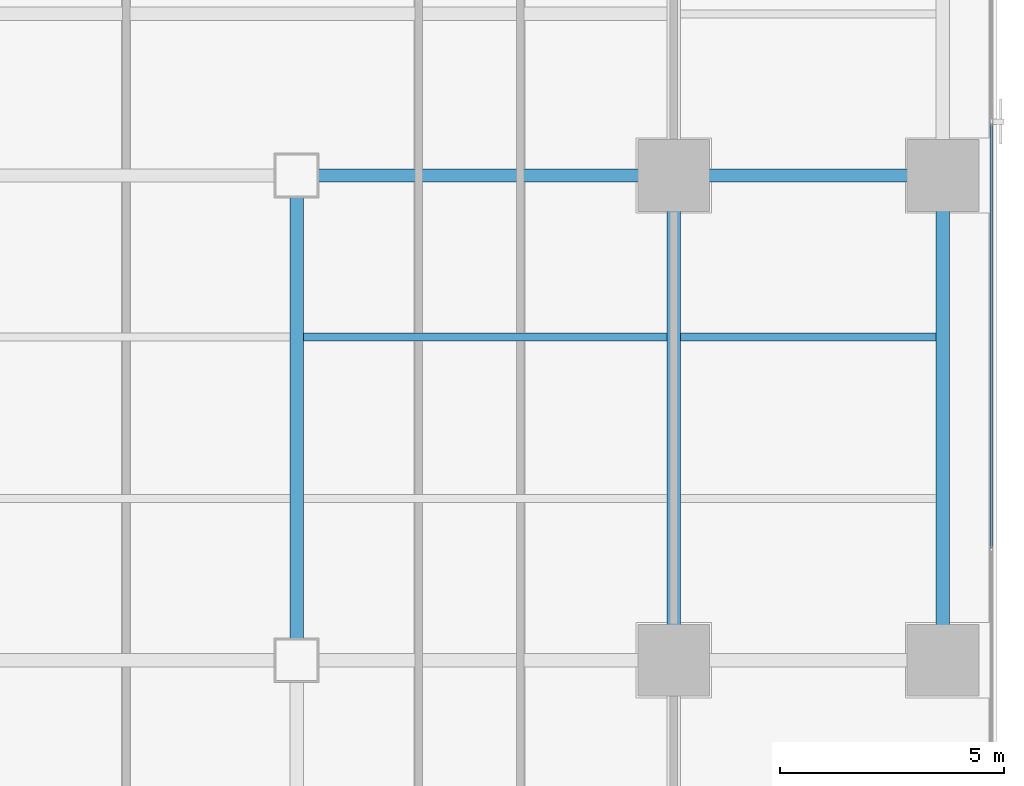
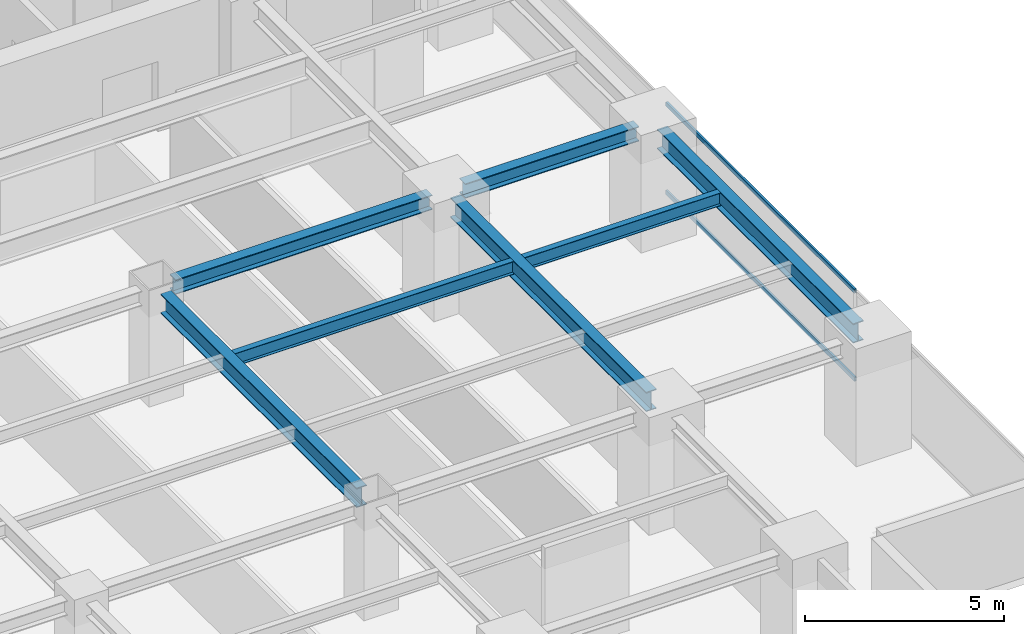
# One storey, part 12 of 27: 7 beams, 2 members, 1 element without a shape of its own.
"""IFC4 building model written with IfcOpenShell, lengths in metres."""

from ifc_helpers import new_model, si_unit, direction, frame, origin, origin_2d, place, context, subcontext, project, spatial, hollow_rectangle, i_section, extrude, source, transform, mapped, material, layer, layer_set, material_profile, profile_set, type_object, element, aggregate, save


model = new_model("IFC4")

# Units and contexts
model_context = context("Model", 3, precision=1e-05, world=origin(), true_north=direction((0.0, 1.0)))
body_context = subcontext(model_context, "Body", "Model", "MODEL_VIEW")
ifc_project = project(units=[si_unit("LENGTHUNIT", "METRE"), si_unit("AREAUNIT", "SQUARE_METRE"), si_unit("VOLUMEUNIT", "CUBIC_METRE"), si_unit("PLANEANGLEUNIT", "RADIAN"), si_unit("MASSUNIT", "GRAM", prefix="KILO")], contexts=[model_context])

# Site, building, storey
site_placement = place(None, origin())
site = spatial("IfcSite", under=ifc_project, at=site_placement, CompositionType="ELEMENT")
building_placement = place(site_placement, origin())
building = spatial("IfcBuilding", under=site, at=building_placement, Name="Sumidabori Civic Tower", CompositionType="ELEMENT")
storey_placement = place(building_placement, frame((0.0, 0.0, 164.0)))
storey = spatial("IfcBuildingStorey", under=building, at=storey_placement, Name="L42", CompositionType="ELEMENT", Elevation=164.0)

# Beams
ifc_material_1 = material(Name="Steel SN490", Category="steel")
ifc_material_profile_1 = material_profile(ifc_material_1, i_section(OverallWidth=0.300048828125, OverallDepth=0.60009765625, WebThickness=0.015380859375, FlangeThickness=0.030029296875, at=origin_2d()), Name="HE 600 B")
ifc_profile_set_1 = profile_set([ifc_material_profile_1], Name="Steel SN490")
beam_type_1 = type_object("IfcBeamType", Name="BM-GIRD-600", PredefinedType="BEAM", material=ifc_profile_set_1)
shared_shape_1 = source(origin(), body_context, "Body", "SweptSolid", [
    extrude(i_section(OverallWidth=0.300048828125, OverallDepth=0.60009765625, WebThickness=0.015380859375, FlangeThickness=0.030029296875, at=origin_2d()), origin(), (0.0, 0.0, 1.0), 9.840087890625),
])
for number, where, z_axis, x_axis, name in (
    (1, (8.39990234375, -10.320068359375, 3.080078125), (0.0, 1.0, 0.0), (-1.0, 0.0, 0.0), "Primary Girder L42 GY-31"),
    (2, (16.800048828125, -10.320068359375, 3.080078125), (0.0, 1.0, 0.0), (-1.0, 0.0, 0.0), "Primary Girder L42 GY-33"),
    (3, (22.800048828125, -10.320068359375, 3.080078125), (0.0, 1.0, 0.0), (-1.0, 0.0, 0.0), "Primary Girder L42 GY-36"),
):
    element("IfcBeam", number, at=place(storey_placement, frame(where, z_axis=z_axis, x_axis=x_axis)), inside=storey, type_object=beam_type_1, Name=name, PredefinedType="BEAM", context=body_context, shape_type="MappedRepresentation", body=[
        mapped(shared_shape_1, transform((0.0, 0.0, 0.0), x_axis=(1.0, 0.0, 0.0), y_axis=(0.0, 1.0, 0.0), z_axis=(0.0, 0.0, 1.0), scale=1.0)),
    ])
ifc_material_profile_2 = material_profile(ifc_material_1, i_section(OverallWidth=0.179931640625, OverallDepth=0.39990234375, WebThickness=0.008544921875, FlangeThickness=0.013427734375, at=origin_2d()), Name="IPE 400")
ifc_profile_set_2 = profile_set([ifc_material_profile_2], Name="Steel SN490")
beam_type_2 = type_object("IfcBeamType", Name="BM-JST-400", PredefinedType="JOIST", material=ifc_profile_set_2)
shared_shape_2 = source(origin(), body_context, "Body", "SweptSolid", [
    extrude(i_section(OverallWidth=0.179931640625, OverallDepth=0.39990234375, WebThickness=0.008544921875, FlangeThickness=0.013427734375, at=origin_2d()), origin(), (0.0, 0.0, 1.0), 5.699951171875),
])
beam_1_placement = place(storey_placement, frame((16.949951171875, -3.60009765625, 3.179931640625), z_axis=(1.0, 0.0, 0.0), x_axis=(0.0, 1.0, 0.0)))
element("IfcBeam", 4, at=beam_1_placement, inside=storey, type_object=beam_type_2, Name="Outer Bay Floor Joist L42 JSTO-42", PredefinedType="JOIST", context=body_context, shape_type="MappedRepresentation", body=[
    mapped(shared_shape_2, transform((0.0, 0.0, 0.0), x_axis=(1.0, 0.0, 0.0), y_axis=(0.0, 1.0, 0.0), z_axis=(0.0, 0.0, 1.0), scale=1.0)),
])
shared_shape_3 = source(origin(), body_context, "Body", "SweptSolid", [
    extrude(i_section(OverallWidth=0.179931640625, OverallDepth=0.39990234375, WebThickness=0.008544921875, FlangeThickness=0.013427734375, at=origin_2d()), origin(), (0.0, 0.0, 1.0), 8.099853515625),
])
beam_2_placement = place(storey_placement, frame((8.550048828125, -3.60009765625, 3.179931640625), z_axis=(1.0, 0.0, 0.0), x_axis=(0.0, 1.0, 0.0)))
element("IfcBeam", 5, at=beam_2_placement, inside=storey, type_object=beam_type_2, Name="South Bay Floor Joist L42 JSTS-60", PredefinedType="JOIST", context=body_context, shape_type="MappedRepresentation", body=[
    mapped(shared_shape_3, transform((0.0, 0.0, 0.0), x_axis=(1.0, 0.0, 0.0), y_axis=(0.0, 1.0, 0.0), z_axis=(0.0, 0.0, 1.0), scale=1.0)),
])
ifc_material_profile_3 = material_profile(ifc_material_1, i_section(OverallWidth=0.300048828125, OverallDepth=0.449951171875, WebThickness=0.013916015625, FlangeThickness=0.02587890625, at=origin_2d()), Name="HE 450 B")
ifc_profile_set_3 = profile_set([ifc_material_profile_3], Name="Steel SN490")
beam_type_3 = type_object("IfcBeamType", Name="BM-GIRD-450", PredefinedType="BEAM", material=ifc_profile_set_3)
shared_shape_4 = source(origin(), body_context, "Body", "SweptSolid", [
    extrude(i_section(OverallWidth=0.300048828125, OverallDepth=0.449951171875, WebThickness=0.013916015625, FlangeThickness=0.02587890625, at=origin_2d()), origin(), (0.0, 0.0, 1.0), 7.440185546875),
])
beam_3_placement = place(storey_placement, frame((8.8798828125, 0.0, 3.155029296875), z_axis=(1.0, 0.0, 0.0), x_axis=(0.0, 1.0, 0.0)))
element("IfcBeam", 6, at=beam_3_placement, inside=storey, type_object=beam_type_3, Name="Primary Girder L42 GX-15", PredefinedType="BEAM", context=body_context, shape_type="MappedRepresentation", body=[
    mapped(shared_shape_4, transform((0.0, 0.0, 0.0), x_axis=(1.0, 0.0, 0.0), y_axis=(0.0, 1.0, 0.0), z_axis=(0.0, 0.0, 1.0), scale=1.0)),
])
shared_shape_5 = source(origin(), body_context, "Body", "SweptSolid", [
    extrude(i_section(OverallWidth=0.300048828125, OverallDepth=0.449951171875, WebThickness=0.013916015625, FlangeThickness=0.02587890625, at=origin_2d()), origin(), (0.0, 0.0, 1.0), 5.0400390625),
])
beam_4_placement = place(storey_placement, frame((17.280029296875, 0.0, 3.155029296875), z_axis=(1.0, 0.0, 0.0), x_axis=(0.0, 1.0, 0.0)))
element("IfcBeam", 7, at=beam_4_placement, inside=storey, type_object=beam_type_3, Name="Primary Girder L42 GX-16", PredefinedType="BEAM", context=body_context, shape_type="MappedRepresentation", body=[
    mapped(shared_shape_5, transform((0.0, 0.0, 0.0), x_axis=(1.0, 0.0, 0.0), y_axis=(0.0, 1.0, 0.0), z_axis=(0.0, 0.0, 1.0), scale=1.0)),
])

# Curtain wall, members
ifc_material_2 = material(Name="Anodised Bronze Aluminium AW-6063-T6", Category="aluminium")
ifc_layer = layer(ifc_material_2, 0.179931640625, Name="Anodised Bronze Aluminium AW-6063-T6")
ifc_layer_set = layer_set([ifc_layer], Name="Anodised Bronze Aluminium AW-6063-T6")
curtain_wall_type = type_object("IfcCurtainWallType", Name="CW-SYS-3", PredefinedType="NOTDEFINED", material=ifc_layer_set)
curtain_wall_placement = place(storey_placement, origin())
curtain_wall = element("IfcCurtainWall", 8, at=curtain_wall_placement, inside=storey, type_object=curtain_wall_type, Name="Curtain Wall CW:L42:R04", PredefinedType="NOTDEFINED")
ifc_material_profile_4 = material_profile(ifc_material_2, hollow_rectangle(XDim=0.06005859375, YDim=0.1298828125, WallThickness=0.0048828125, at=origin_2d()), Name="ALU TRANSOM 130x60")
ifc_profile_set_4 = profile_set([ifc_material_profile_4], Name="Anodised Bronze Aluminium AW-6063-T6")
member_type = type_object("IfcMemberType", Name="CW-TRN-130", PredefinedType="USERDEFINED", material=ifc_profile_set_4)
shared_shape_6 = source(origin(), body_context, "Body", "SweptSolid", [
    extrude(hollow_rectangle(XDim=0.06005859375, YDim=0.1298828125, WallThickness=0.0048828125, at=origin_2d()), origin(), (0.0, 0.0, 1.0), 9.469970703125),
])
member_1_placement = place(storey_placement, frame((23.8798828125, -8.302490234375, 0.030029296875), z_axis=(0.0, 1.0, 0.0), x_axis=(-1.0, 0.0, 0.0)))
member_1 = element("IfcMember", 9, at=member_1_placement, type_object=member_type, Name="CW-3 transom 2.1", ObjectType="TRANSOM", PredefinedType="USERDEFINED", context=body_context, shape_type="MappedRepresentation", body=[
    mapped(shared_shape_6, transform((0.0, 0.0, 0.0), x_axis=(1.0, 0.0, 0.0), y_axis=(0.0, 1.0, 0.0), z_axis=(0.0, 0.0, 1.0), scale=1.0)),
])
member_2_placement = place(storey_placement, frame((23.8798828125, -8.302490234375, 2.72998046875), z_axis=(0.0, 1.0, 0.0), x_axis=(-1.0, 0.0, 0.0)))
member_2 = element("IfcMember", 10, at=member_2_placement, type_object=member_type, Name="CW-3 transom 2.2", ObjectType="TRANSOM", PredefinedType="USERDEFINED", context=body_context, shape_type="MappedRepresentation", body=[
    mapped(shared_shape_6, transform((0.0, 0.0, 0.0), x_axis=(1.0, 0.0, 0.0), y_axis=(0.0, 1.0, 0.0), z_axis=(0.0, 0.0, 1.0), scale=1.0)),
])
aggregate(curtain_wall, [member_1, member_2])

save(model, "model.ifc")
